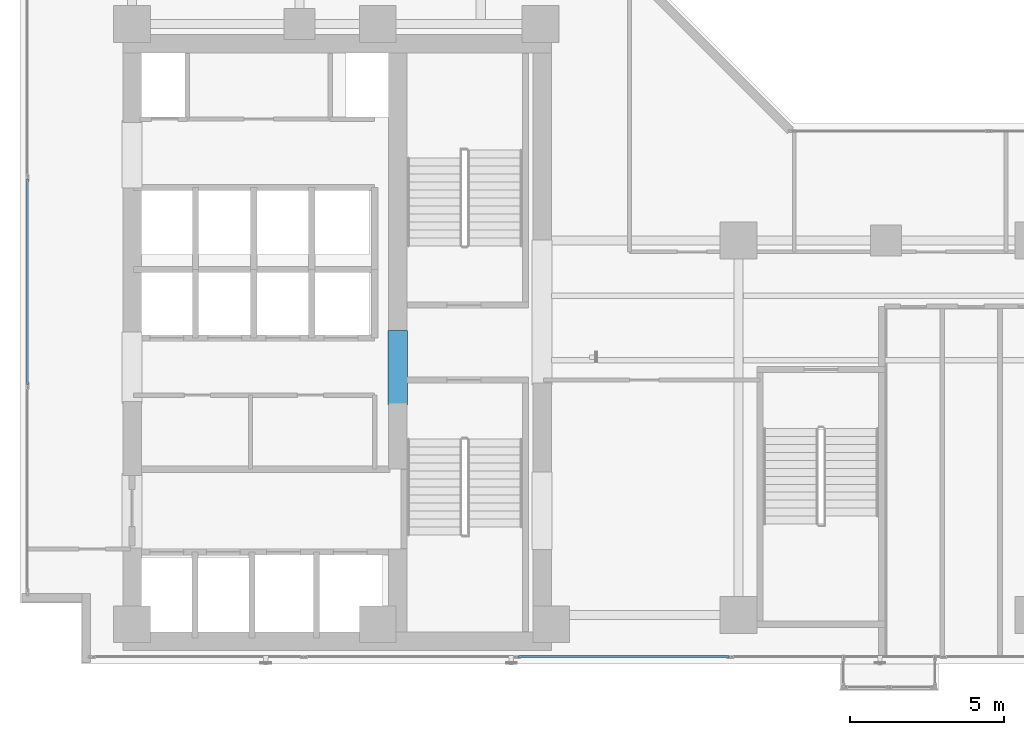
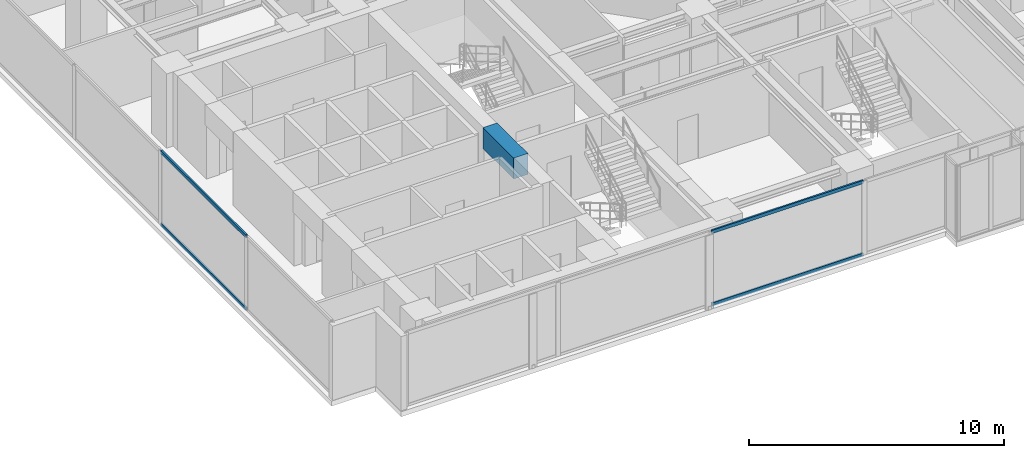
# One storey, part 3 of 23: 4 members, 1 beam, 2 elements without a shape of their own.
"""IFC4 building model written with IfcOpenShell, lengths in metres."""

from ifc_helpers import new_model, si_unit, direction, frame, origin, origin_with_axes, origin_2d, place, context, subcontext, project, spatial, rectangle, hollow_rectangle, extrude, source, transform, mapped, material, layer, layer_set, material_profile, profile_set, type_object, element, aggregate, save


model = new_model("IFC4")

# Units and contexts
model_context = context("Model", 3, precision=1e-05, world=origin(), true_north=direction((0.0, 1.0)))
body_context = subcontext(model_context, "Body", "Model", "MODEL_VIEW")
ifc_project = project(units=[si_unit("LENGTHUNIT", "METRE"), si_unit("AREAUNIT", "SQUARE_METRE"), si_unit("VOLUMEUNIT", "CUBIC_METRE"), si_unit("PLANEANGLEUNIT", "RADIAN"), si_unit("MASSUNIT", "GRAM", prefix="KILO")], contexts=[model_context])

# Site, building, storey
site_placement = place(None, origin())
site = spatial("IfcSite", under=ifc_project, at=site_placement, CompositionType="ELEMENT")
building_placement = place(site_placement, origin())
building = spatial("IfcBuilding", under=site, at=building_placement, Name="Kolvaren Waterfront Exchange", CompositionType="ELEMENT")
storey_placement = place(building_placement, frame((0.0, 0.0, 188.0)))
storey = spatial("IfcBuildingStorey", under=building, at=storey_placement, Name="L48", CompositionType="ELEMENT", Elevation=188.0)

# Beam
ifc_material_1 = material(Name="Concrete C60/75", Category="concrete")
ifc_material_profile_1 = material_profile(ifc_material_1, rectangle(XDim=0.64990234375, YDim=1.0, at=origin_2d()), Name="RC-CB-1000x650")
ifc_profile_set_1 = profile_set([ifc_material_profile_1], Name="Concrete C60/75")
beam_type = type_object("IfcBeamType", Name="STR-CB-1000", PredefinedType="SPANDREL", material=ifc_profile_set_1)
beam_placement = place(storey_placement, frame((16.10009765625, 12.0400390625, 3.06005859375), z_axis=(0.0, 1.0, 0.0), x_axis=(-1.0, 0.0, 0.0)))
element("IfcBeam", 1, at=beam_placement, inside=storey, type_object=beam_type, Name="L48 core coupling beam 6", PredefinedType="SPANDREL", context=body_context, shape_type="SweptSolid", body=[
    extrude(rectangle(XDim=0.64990234375, YDim=1.0, at=origin_2d()), origin(), (0.0, 0.0, 1.0), 2.419921875),
])

# Curtain wall, members
ifc_material_2 = material(Name="Anodised bronze aluminium 6063-T6", Category="aluminium")
ifc_layer_1 = layer(ifc_material_2, 0.219970703125, Name="Anodised bronze aluminium 6063-T6")
ifc_layer_set_1 = layer_set([ifc_layer_1], Name="Anodised bronze aluminium 6063-T6")
curtain_wall_type_1 = type_object("IfcCurtainWallType", Name="ARC-CW-SYS1", PredefinedType="USERDEFINED", material=ifc_layer_set_1)
curtain_wall_1_placement = place(storey_placement, origin())
curtain_wall_1 = element("IfcCurtainWall", 2, at=curtain_wall_1_placement, inside=storey, type_object=curtain_wall_type_1, Name="L48 stick curtain wall CW1 (CW-L48-S)", ObjectType="STICK CURTAIN WALL", PredefinedType="USERDEFINED")
ifc_material_3 = material(Name="Anodised aluminium 6063-T6", Category="aluminium")
ifc_material_profile_2 = material_profile(ifc_material_3, hollow_rectangle(XDim=0.074951171875, YDim=0.159912109375, WallThickness=0.00439453125, at=origin_2d()), Name="ALU-TRN-160x75x4.5")
ifc_profile_set_2 = profile_set([ifc_material_profile_2], Name="Anodised aluminium 6063-T6")
member_type = type_object("IfcMemberType", Name="ARC-CWT-160", PredefinedType="USERDEFINED", material=ifc_profile_set_2)
shared_shape_1 = source(origin_with_axes(), body_context, "Body", "SweptSolid", [
    extrude(hollow_rectangle(XDim=0.074951171875, YDim=0.159912109375, WallThickness=0.00439453125, at=origin_2d()), origin(), (0.0, 0.0, 1.0), 6.863037109375),
])
member_1_placement = place(storey_placement, frame((20.025634765625, 3.840087890625, 0.03759765625), z_axis=(1.0, 0.0, 0.0), x_axis=(0.0, 1.0, 0.0)))
member_1 = element("IfcMember", 3, at=member_1_placement, type_object=member_type, Name="CW1 transom 3.1", ObjectType="TRANSOM", PredefinedType="USERDEFINED", context=body_context, shape_type="MappedRepresentation", body=[
    mapped(shared_shape_1, transform((0.0, 0.0, 0.0), x_axis=(1.0, 0.0, 0.0), y_axis=(0.0, 1.0, 0.0), z_axis=(0.0, 0.0, 1.0), scale=1.0)),
])
member_2_placement = place(storey_placement, frame((20.025634765625, 3.840087890625, 3.5224609375), z_axis=(1.0, 0.0, 0.0), x_axis=(0.0, 1.0, 0.0)))
member_2 = element("IfcMember", 4, at=member_2_placement, type_object=member_type, Name="CW1 transom 3.2", ObjectType="TRANSOM", PredefinedType="USERDEFINED", context=body_context, shape_type="MappedRepresentation", body=[
    mapped(shared_shape_1, transform((0.0, 0.0, 0.0), x_axis=(1.0, 0.0, 0.0), y_axis=(0.0, 1.0, 0.0), z_axis=(0.0, 0.0, 1.0), scale=1.0)),
])
aggregate(curtain_wall_1, [member_1, member_2])

ifc_layer_2 = layer(ifc_material_3, 0.219970703125, Name="Anodised aluminium 6063-T6")
ifc_layer_set_2 = layer_set([ifc_layer_2], Name="Anodised aluminium 6063-T6")
curtain_wall_type_2 = type_object("IfcCurtainWallType", Name="ARC-CW-SYS2", PredefinedType="USERDEFINED", material=ifc_layer_set_2)
curtain_wall_2_placement = place(storey_placement, origin())
curtain_wall_2 = element("IfcCurtainWall", 5, at=curtain_wall_2_placement, inside=storey, type_object=curtain_wall_type_2, Name="L48 stick curtain wall CW2 (CW-L48-W)", ObjectType="STICK CURTAIN WALL", PredefinedType="USERDEFINED")
shared_shape_2 = source(origin_with_axes(), body_context, "Body", "SweptSolid", [
    extrude(hollow_rectangle(XDim=0.074951171875, YDim=0.159912109375, WallThickness=0.00439453125, at=origin_2d()), origin(), (0.0, 0.0, 1.0), 6.6865234375),
])
member_3_placement = place(storey_placement, frame((4.0400390625, 12.706787109375, 0.03759765625), z_axis=(0.0, 1.0, 0.0), x_axis=(-1.0, 0.0, 0.0)))
member_3 = element("IfcMember", 6, at=member_3_placement, type_object=member_type, Name="CW2 transom 2.1", ObjectType="TRANSOM", PredefinedType="USERDEFINED", context=body_context, shape_type="MappedRepresentation", body=[
    mapped(shared_shape_2, transform((0.0, 0.0, 0.0), x_axis=(1.0, 0.0, 0.0), y_axis=(0.0, 1.0, 0.0), z_axis=(0.0, 0.0, 1.0), scale=1.0)),
])
member_4_placement = place(storey_placement, frame((4.0400390625, 12.706787109375, 3.5224609375), z_axis=(0.0, 1.0, 0.0), x_axis=(-1.0, 0.0, 0.0)))
member_4 = element("IfcMember", 7, at=member_4_placement, type_object=member_type, Name="CW2 transom 2.2", ObjectType="TRANSOM", PredefinedType="USERDEFINED", context=body_context, shape_type="MappedRepresentation", body=[
    mapped(shared_shape_2, transform((0.0, 0.0, 0.0), x_axis=(1.0, 0.0, 0.0), y_axis=(0.0, 1.0, 0.0), z_axis=(0.0, 0.0, 1.0), scale=1.0)),
])
aggregate(curtain_wall_2, [member_3, member_4])

save(model, "model.ifc")
